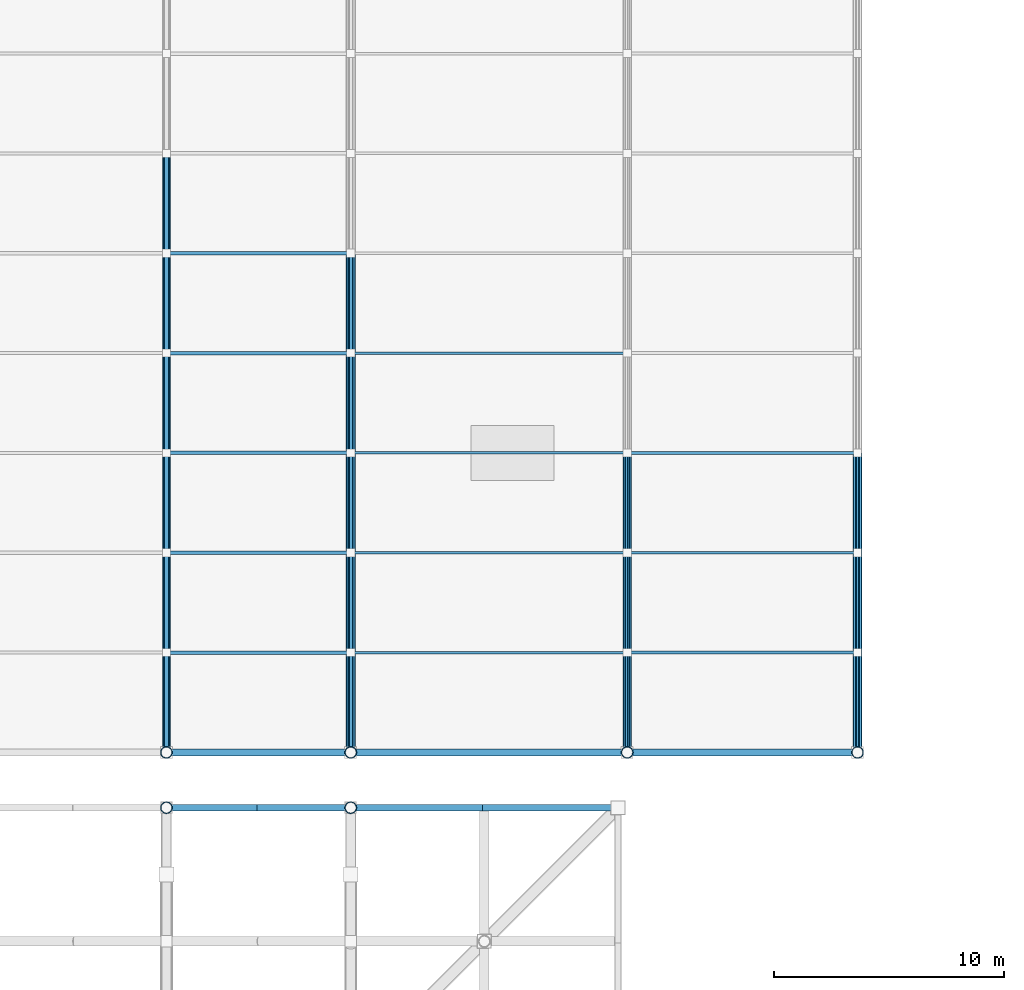
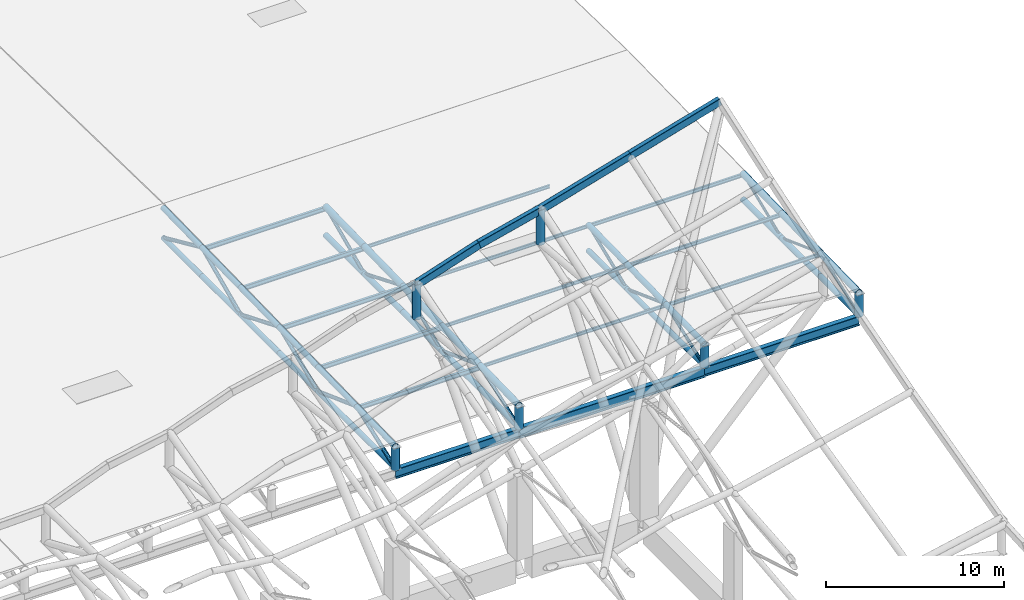
# One storey, part 46 of 75: 69 members, 7 beams.
"""IFC4 building model written with IfcOpenShell, lengths in metres."""

from ifc_helpers import new_model, si_unit, direction, frame, origin, origin_2d, place, context, subcontext, project, spatial, hollow_rectangle, hollow_circle, i_section, extrude, material, material_profile, profile_set, type_object, element, save


model = new_model("IFC4")

# Units and contexts
model_context = context("Model", 3, precision=1e-05, world=origin(), true_north=direction((0.0, 1.0)))
body_context = subcontext(model_context, "Body", "Model", "MODEL_VIEW")
ifc_project = project(units=[si_unit("LENGTHUNIT", "METRE"), si_unit("AREAUNIT", "SQUARE_METRE"), si_unit("VOLUMEUNIT", "CUBIC_METRE"), si_unit("PLANEANGLEUNIT", "RADIAN"), si_unit("MASSUNIT", "GRAM", prefix="KILO")], contexts=[model_context])

# Site, building, storey
site_placement = place(None, origin())
site = spatial("IfcSite", under=ifc_project, at=site_placement, CompositionType="ELEMENT")
building_placement = place(site_placement, origin())
building = spatial("IfcBuilding", under=site, at=building_placement, Name="Khorjan Park Terminus", CompositionType="ELEMENT")
storey_placement = place(building_placement, frame((0.0, 0.0, 16.2)))
storey = spatial("IfcBuildingStorey", under=building, at=storey_placement, Name="L03", CompositionType="ELEMENT", Elevation=16.2)

# Members
ifc_material = material(Name="Steel S355", Category="steel")
ifc_material_profile_1 = material_profile(ifc_material, hollow_circle(Radius=0.0842, WallThickness=0.008, at=origin_2d()), Name="CHS 168.3x8")
ifc_profile_set_1 = profile_set([ifc_material_profile_1], Name="Steel S355")
member_type_1 = type_object("IfcMemberType", Name="MB-BR-168", PredefinedType="BRACE", material=ifc_profile_set_1)
member_1_placement = place(storey_placement, frame((158.0, 102.0, -2.6), z_axis=(0.0, 0.938678487602, 0.344793701963), x_axis=(-1.0, 0.0, 0.0)))
element("IfcMember", 1, at=member_1_placement, inside=storey, type_object=member_type_1, Name="Train shed flat truss web diagonal TB-17 (T19)", PredefinedType="BRACE", context=body_context, shape_type="SweptSolid", body=[
    extrude(hollow_circle(Radius=0.0842, WallThickness=0.008, at=origin_2d()), origin(), (0.0, 0.0, 1.0), 4.6164),
])
member_2_placement = place(storey_placement, frame((158.0, 106.3333, -1.0083), z_axis=(0.0, 0.938681062758, -0.344786691187), x_axis=(-1.0, 0.0, 0.0)))
element("IfcMember", 2, at=member_2_placement, inside=storey, type_object=member_type_1, Name="Train shed flat truss web diagonal TB-17 (T19)", PredefinedType="BRACE", context=body_context, shape_type="SweptSolid", body=[
    extrude(hollow_circle(Radius=0.0842, WallThickness=0.008, at=origin_2d()), origin(), (0.0, 0.0, 1.0), 4.6165),
])
member_3_placement = place(storey_placement, frame((158.0, 110.6667, -2.6), z_axis=(0.0, 0.92537575721, 0.379051062481), x_axis=(-1.0, 0.0, 0.0)))
element("IfcMember", 3, at=member_3_placement, inside=storey, type_object=member_type_1, Name="Train shed flat truss web diagonal TB-17 (T19)", PredefinedType="BRACE", context=body_context, shape_type="SweptSolid", body=[
    extrude(hollow_circle(Radius=0.0842, WallThickness=0.008, at=origin_2d()), origin(), (0.0, 0.0, 1.0), 4.6827),
])
ifc_material_profile_2 = material_profile(ifc_material, hollow_circle(Radius=0.0969, WallThickness=0.01, at=origin_2d()), Name="CHS 193.7x10")
ifc_profile_set_2 = profile_set([ifc_material_profile_2], Name="Steel S355")
member_type_2 = type_object("IfcMemberType", Name="MB-BR-194", PredefinedType="BRACE", material=ifc_profile_set_2)
member_4_placement = place(storey_placement, frame((148.0, 102.0, -2.6), z_axis=(0.0, 0.938678487602, 0.344793701963), x_axis=(-1.0, 0.0, 0.0)))
element("IfcMember", 4, at=member_4_placement, inside=storey, type_object=member_type_2, Name="Train shed flat truss web diagonal TB-19 (T18)", PredefinedType="BRACE", context=body_context, shape_type="SweptSolid", body=[
    extrude(hollow_circle(Radius=0.0969, WallThickness=0.01, at=origin_2d()), origin(), (0.0, 0.0, 1.0), 4.6164),
])
member_5_placement = place(storey_placement, frame((148.0, 106.3333, -1.0083), z_axis=(0.0, 0.938681062758, -0.344786691187), x_axis=(-1.0, 0.0, 0.0)))
element("IfcMember", 5, at=member_5_placement, inside=storey, type_object=member_type_2, Name="Train shed flat truss web diagonal TB-19 (T18)", PredefinedType="BRACE", context=body_context, shape_type="SweptSolid", body=[
    extrude(hollow_circle(Radius=0.0969, WallThickness=0.01, at=origin_2d()), origin(), (0.0, 0.0, 1.0), 4.6165),
])
member_6_placement = place(storey_placement, frame((148.0, 110.6667, -2.6), z_axis=(0.0, 0.92537575721, 0.379051062481), x_axis=(-1.0, 0.0, 0.0)))
element("IfcMember", 6, at=member_6_placement, inside=storey, type_object=member_type_2, Name="Train shed flat truss web diagonal TB-19 (T18)", PredefinedType="BRACE", context=body_context, shape_type="SweptSolid", body=[
    extrude(hollow_circle(Radius=0.0969, WallThickness=0.01, at=origin_2d()), origin(), (0.0, 0.0, 1.0), 4.6827),
])
ifc_material_profile_3 = material_profile(ifc_material, hollow_circle(Radius=0.1095, WallThickness=0.01, at=origin_2d()), Name="CHS 219.1x10")
ifc_profile_set_3 = profile_set([ifc_material_profile_3], Name="Steel S355")
member_type_3 = type_object("IfcMemberType", Name="MB-BR-219", PredefinedType="BRACE", material=ifc_profile_set_3)
member_7_placement = place(storey_placement, frame((136.0, 102.0, -2.6), z_axis=(0.0, 0.938678487602, 0.344793701963), x_axis=(-1.0, 0.0, 0.0)))
element("IfcMember", 7, at=member_7_placement, inside=storey, type_object=member_type_3, Name="Train shed flat truss web diagonal TB-22 (T17)", PredefinedType="BRACE", context=body_context, shape_type="SweptSolid", body=[
    extrude(hollow_circle(Radius=0.1095, WallThickness=0.01, at=origin_2d()), origin(), (0.0, 0.0, 1.0), 4.6164),
])
member_8_placement = place(storey_placement, frame((136.0, 106.3333, -1.0083), z_axis=(0.0, 0.938681062758, -0.344786691187), x_axis=(-1.0, 0.0, 0.0)))
element("IfcMember", 8, at=member_8_placement, inside=storey, type_object=member_type_3, Name="Train shed flat truss web diagonal TB-22 (T17)", PredefinedType="BRACE", context=body_context, shape_type="SweptSolid", body=[
    extrude(hollow_circle(Radius=0.1095, WallThickness=0.01, at=origin_2d()), origin(), (0.0, 0.0, 1.0), 4.6165),
])
for number, where, z_axis, x_axis, name in (
    (9, (136.0, 110.6667, -2.6), (0.0, 0.92537575721, 0.379051062481), (-1.0, 0.0, 0.0), "Train shed flat truss web diagonal TB-22 (T17)"),
    (10, (136.0, 115.0, -0.825), (0.0, 0.92537575721, -0.379051062481), (-1.0, 0.0, 0.0), "Train shed flat truss web diagonal TB-22 (T17)"),
):
    element("IfcMember", number, at=place(storey_placement, frame(where, z_axis=z_axis, x_axis=x_axis)), inside=storey, type_object=member_type_3, Name=name, PredefinedType="BRACE", context=body_context, shape_type="SweptSolid", body=[
        extrude(hollow_circle(Radius=0.1095, WallThickness=0.01, at=origin_2d()), origin(), (0.0, 0.0, 1.0), 4.6827),
    ])
member_9_placement = place(storey_placement, frame((136.0, 119.3333, -2.6), z_axis=(0.0, 0.911269553162, 0.411810395061), x_axis=(-1.0, 0.0, 0.0)))
element("IfcMember", 11, at=member_9_placement, inside=storey, type_object=member_type_3, Name="Train shed flat truss web diagonal TB-22 (T17)", PredefinedType="BRACE", context=body_context, shape_type="SweptSolid", body=[
    extrude(hollow_circle(Radius=0.1095, WallThickness=0.01, at=origin_2d()), origin(), (0.0, 0.0, 1.0), 4.7553),
])
ifc_material_profile_4 = material_profile(ifc_material, hollow_circle(Radius=0.1222, WallThickness=0.0125, at=origin_2d()), Name="CHS 244.5x12.5")
ifc_profile_set_4 = profile_set([ifc_material_profile_4], Name="Steel S355")
member_type_4 = type_object("IfcMemberType", Name="MB-BR-245", PredefinedType="BRACE", material=ifc_profile_set_4)
member_10_placement = place(storey_placement, frame((128.0, 102.0, -2.6), z_axis=(0.0, 0.938678487602, 0.344793701963), x_axis=(-1.0, 0.0, 0.0)))
element("IfcMember", 12, at=member_10_placement, inside=storey, type_object=member_type_4, Name="Train shed flat truss web diagonal TB-24 (T16)", PredefinedType="BRACE", context=body_context, shape_type="SweptSolid", body=[
    extrude(hollow_circle(Radius=0.1222, WallThickness=0.0125, at=origin_2d()), origin(), (0.0, 0.0, 1.0), 4.6164),
])
member_11_placement = place(storey_placement, frame((128.0, 106.3333, -1.0083), z_axis=(0.0, 0.938681062758, -0.344786691187), x_axis=(-1.0, 0.0, 0.0)))
element("IfcMember", 13, at=member_11_placement, inside=storey, type_object=member_type_4, Name="Train shed flat truss web diagonal TB-24 (T16)", PredefinedType="BRACE", context=body_context, shape_type="SweptSolid", body=[
    extrude(hollow_circle(Radius=0.1222, WallThickness=0.0125, at=origin_2d()), origin(), (0.0, 0.0, 1.0), 4.6165),
])
for number, where, z_axis, x_axis, name in (
    (14, (128.0, 110.6667, -2.6), (0.0, 0.92537575721, 0.379051062481), (-1.0, 0.0, 0.0), "Train shed flat truss web diagonal TB-24 (T16)"),
    (15, (128.0, 115.0, -0.825), (0.0, 0.92537575721, -0.379051062481), (-1.0, 0.0, 0.0), "Train shed flat truss web diagonal TB-24 (T16)"),
):
    element("IfcMember", number, at=place(storey_placement, frame(where, z_axis=z_axis, x_axis=x_axis)), inside=storey, type_object=member_type_4, Name=name, PredefinedType="BRACE", context=body_context, shape_type="SweptSolid", body=[
        extrude(hollow_circle(Radius=0.1222, WallThickness=0.0125, at=origin_2d()), origin(), (0.0, 0.0, 1.0), 4.6827),
    ])
for number, where, z_axis, x_axis, name in (
    (16, (128.0, 119.3333, -2.6), (0.0, 0.911269553162, 0.411810395061), (-1.0, 0.0, 0.0), "Train shed flat truss web diagonal TB-24 (T16)"),
    (17, (128.0, 123.6667, -0.6417), (0.0, 0.911265986802, -0.411818286745), (-1.0, 0.0, 0.0), "Train shed flat truss web diagonal TB-24 (T16)"),
):
    element("IfcMember", number, at=place(storey_placement, frame(where, z_axis=z_axis, x_axis=x_axis)), inside=storey, type_object=member_type_4, Name=name, PredefinedType="BRACE", context=body_context, shape_type="SweptSolid", body=[
        extrude(hollow_circle(Radius=0.1222, WallThickness=0.0125, at=origin_2d()), origin(), (0.0, 0.0, 1.0), 4.7553),
    ])
ifc_material_profile_5 = material_profile(ifc_material, hollow_circle(Radius=0.162, WallThickness=0.0125, at=origin_2d()), Name="CHS 323.9x12.5")
ifc_profile_set_5 = profile_set([ifc_material_profile_5], Name="Steel S355")
member_type_5 = type_object("IfcMemberType", Name="MB-CH-324", PredefinedType="CHORD", material=ifc_profile_set_5)
member_12_placement = place(storey_placement, frame((128.0, 102.0, -2.6), z_axis=(0.0, 1.0, 0.0), x_axis=(-1.0, 0.0, 0.0)))
element("IfcMember", 18, at=member_12_placement, inside=storey, type_object=member_type_5, Name="Train shed flat truss bottom chord TC-32 (T16)", PredefinedType="CHORD", context=body_context, shape_type="SweptSolid", body=[
    extrude(hollow_circle(Radius=0.162, WallThickness=0.0125, at=origin_2d()), origin(), (0.0, 0.0, 1.0), 4.3333),
])
member_13_placement = place(storey_placement, frame((128.0, 106.3333, -2.6), z_axis=(0.0, 1.0, 0.0), x_axis=(-1.0, 0.0, 0.0)))
element("IfcMember", 19, at=member_13_placement, inside=storey, type_object=member_type_5, Name="Train shed flat truss bottom chord TC-32 (T16)", PredefinedType="CHORD", context=body_context, shape_type="SweptSolid", body=[
    extrude(hollow_circle(Radius=0.162, WallThickness=0.0125, at=origin_2d()), origin(), (0.0, 0.0, 1.0), 4.3334),
])
for number, where, z_axis, x_axis, name in (
    (20, (128.0, 110.6667, -2.6), (0.0, 1.0, 0.0), (-1.0, 0.0, 0.0), "Train shed flat truss bottom chord TC-32 (T16)"),
    (21, (128.0, 115.0, -2.6), (0.0, 1.0, 0.0), (-1.0, 0.0, 0.0), "Train shed flat truss bottom chord TC-32 (T16)"),
):
    element("IfcMember", number, at=place(storey_placement, frame(where, z_axis=z_axis, x_axis=x_axis)), inside=storey, type_object=member_type_5, Name=name, PredefinedType="CHORD", context=body_context, shape_type="SweptSolid", body=[
        extrude(hollow_circle(Radius=0.162, WallThickness=0.0125, at=origin_2d()), origin(), (0.0, 0.0, 1.0), 4.3333),
    ])
member_14_placement = place(storey_placement, frame((128.0, 119.3333, -2.6), z_axis=(0.0, 1.0, 0.0), x_axis=(-1.0, 0.0, 0.0)))
element("IfcMember", 22, at=member_14_placement, inside=storey, type_object=member_type_5, Name="Train shed flat truss bottom chord TC-32 (T16)", PredefinedType="CHORD", context=body_context, shape_type="SweptSolid", body=[
    extrude(hollow_circle(Radius=0.162, WallThickness=0.0125, at=origin_2d()), origin(), (0.0, 0.0, 1.0), 4.3334),
])
for number, where, z_axis, x_axis, name in (
    (23, (128.0, 123.6667, -2.6), (0.0, 1.0, 0.0), (-1.0, 0.0, 0.0), "Train shed flat truss bottom chord TC-32 (T16)"),
    (24, (148.0, 102.0, -2.6), (0.0, 1.0, 0.0), (-1.0, 0.0, 0.0), "Train shed flat truss bottom chord TC-32 (T18)"),
):
    element("IfcMember", number, at=place(storey_placement, frame(where, z_axis=z_axis, x_axis=x_axis)), inside=storey, type_object=member_type_5, Name=name, PredefinedType="CHORD", context=body_context, shape_type="SweptSolid", body=[
        extrude(hollow_circle(Radius=0.162, WallThickness=0.0125, at=origin_2d()), origin(), (0.0, 0.0, 1.0), 4.3333),
    ])
member_15_placement = place(storey_placement, frame((148.0, 106.3333, -2.6), z_axis=(0.0, 1.0, 0.0), x_axis=(-1.0, 0.0, 0.0)))
element("IfcMember", 25, at=member_15_placement, inside=storey, type_object=member_type_5, Name="Train shed flat truss bottom chord TC-32 (T18)", PredefinedType="CHORD", context=body_context, shape_type="SweptSolid", body=[
    extrude(hollow_circle(Radius=0.162, WallThickness=0.0125, at=origin_2d()), origin(), (0.0, 0.0, 1.0), 4.3334),
])
member_16_placement = place(storey_placement, frame((148.0, 110.6667, -2.6), z_axis=(0.0, 1.0, 0.0), x_axis=(-1.0, 0.0, 0.0)))
element("IfcMember", 26, at=member_16_placement, inside=storey, type_object=member_type_5, Name="Train shed flat truss bottom chord TC-32 (T18)", PredefinedType="CHORD", context=body_context, shape_type="SweptSolid", body=[
    extrude(hollow_circle(Radius=0.162, WallThickness=0.0125, at=origin_2d()), origin(), (0.0, 0.0, 1.0), 4.3333),
])
ifc_material_profile_6 = material_profile(ifc_material, hollow_circle(Radius=0.1778, WallThickness=0.016, at=origin_2d()), Name="CHS 355.6x16")
ifc_profile_set_6 = profile_set([ifc_material_profile_6], Name="Steel S355")
member_type_6 = type_object("IfcMemberType", Name="MB-CH-356", PredefinedType="CHORD", material=ifc_profile_set_6)
member_17_placement = place(storey_placement, frame((128.0, 102.0, -1.1), z_axis=(0.0, 0.999776166375, 0.021156964544), x_axis=(-1.0, 0.0, 0.0)))
element("IfcMember", 27, at=member_17_placement, inside=storey, type_object=member_type_6, Name="Train shed flat truss top chord TC-36 (T16)", PredefinedType="CHORD", context=body_context, shape_type="SweptSolid", body=[
    extrude(hollow_circle(Radius=0.1778, WallThickness=0.016, at=origin_2d()), origin(), (0.0, 0.0, 1.0), 4.3343),
])
member_18_placement = place(storey_placement, frame((128.0, 106.3333, -1.0083), z_axis=(0.0, 0.999776664437, 0.021133415439), x_axis=(-1.0, 0.0, 0.0)))
element("IfcMember", 28, at=member_18_placement, inside=storey, type_object=member_type_6, Name="Train shed flat truss top chord TC-36 (T16)", PredefinedType="CHORD", context=body_context, shape_type="SweptSolid", body=[
    extrude(hollow_circle(Radius=0.1778, WallThickness=0.016, at=origin_2d()), origin(), (0.0, 0.0, 1.0), 4.3344),
])
for number, where, z_axis, x_axis, name in (
    (29, (128.0, 110.6667, -0.9167), (0.0, 0.999776166375, 0.021156964544), (-1.0, 0.0, 0.0), "Train shed flat truss top chord TC-36 (T16)"),
    (30, (128.0, 115.0, -0.825), (0.0, 0.999776166375, 0.021156964544), (-1.0, 0.0, 0.0), "Train shed flat truss top chord TC-36 (T16)"),
):
    element("IfcMember", number, at=place(storey_placement, frame(where, z_axis=z_axis, x_axis=x_axis)), inside=storey, type_object=member_type_6, Name=name, PredefinedType="CHORD", context=body_context, shape_type="SweptSolid", body=[
        extrude(hollow_circle(Radius=0.1778, WallThickness=0.016, at=origin_2d()), origin(), (0.0, 0.0, 1.0), 4.3343),
    ])
member_19_placement = place(storey_placement, frame((128.0, 119.3333, -0.7333), z_axis=(0.0, 0.999776664437, 0.021133415439), x_axis=(-1.0, 0.0, 0.0)))
element("IfcMember", 31, at=member_19_placement, inside=storey, type_object=member_type_6, Name="Train shed flat truss top chord TC-36 (T16)", PredefinedType="CHORD", context=body_context, shape_type="SweptSolid", body=[
    extrude(hollow_circle(Radius=0.1778, WallThickness=0.016, at=origin_2d()), origin(), (0.0, 0.0, 1.0), 4.3344),
])
member_20_placement = place(storey_placement, frame((128.0, 123.6667, -0.6417), z_axis=(0.0, 0.999776166375, 0.021156964544), x_axis=(-1.0, 0.0, 0.0)))
element("IfcMember", 32, at=member_20_placement, inside=storey, type_object=member_type_6, Name="Train shed flat truss top chord TC-36 (T16)", PredefinedType="CHORD", context=body_context, shape_type="SweptSolid", body=[
    extrude(hollow_circle(Radius=0.1778, WallThickness=0.016, at=origin_2d()), origin(), (0.0, 0.0, 1.0), 4.3343),
])
member_21_placement = place(storey_placement, frame((136.0, 102.0, -2.6), z_axis=(0.0, 1.0, 0.0), x_axis=(-1.0, 0.0, 0.0)))
element("IfcMember", 33, at=member_21_placement, inside=storey, type_object=member_type_6, Name="Train shed flat truss bottom chord TC-36 (T17)", PredefinedType="CHORD", context=body_context, shape_type="SweptSolid", body=[
    extrude(hollow_circle(Radius=0.1778, WallThickness=0.016, at=origin_2d()), origin(), (0.0, 0.0, 1.0), 4.3333),
])
member_22_placement = place(storey_placement, frame((136.0, 106.3333, -2.6), z_axis=(0.0, 1.0, 0.0), x_axis=(-1.0, 0.0, 0.0)))
element("IfcMember", 34, at=member_22_placement, inside=storey, type_object=member_type_6, Name="Train shed flat truss bottom chord TC-36 (T17)", PredefinedType="CHORD", context=body_context, shape_type="SweptSolid", body=[
    extrude(hollow_circle(Radius=0.1778, WallThickness=0.016, at=origin_2d()), origin(), (0.0, 0.0, 1.0), 4.3334),
])
for number, where, z_axis, x_axis, name in (
    (35, (136.0, 110.6667, -2.6), (0.0, 1.0, 0.0), (-1.0, 0.0, 0.0), "Train shed flat truss bottom chord TC-36 (T17)"),
    (36, (136.0, 115.0, -2.6), (0.0, 1.0, 0.0), (-1.0, 0.0, 0.0), "Train shed flat truss bottom chord TC-36 (T17)"),
):
    element("IfcMember", number, at=place(storey_placement, frame(where, z_axis=z_axis, x_axis=x_axis)), inside=storey, type_object=member_type_6, Name=name, PredefinedType="CHORD", context=body_context, shape_type="SweptSolid", body=[
        extrude(hollow_circle(Radius=0.1778, WallThickness=0.016, at=origin_2d()), origin(), (0.0, 0.0, 1.0), 4.3333),
    ])
member_23_placement = place(storey_placement, frame((136.0, 119.3333, -2.6), z_axis=(0.0, 1.0, 0.0), x_axis=(-1.0, 0.0, 0.0)))
element("IfcMember", 37, at=member_23_placement, inside=storey, type_object=member_type_6, Name="Train shed flat truss bottom chord TC-36 (T17)", PredefinedType="CHORD", context=body_context, shape_type="SweptSolid", body=[
    extrude(hollow_circle(Radius=0.1778, WallThickness=0.016, at=origin_2d()), origin(), (0.0, 0.0, 1.0), 4.3334),
])
member_24_placement = place(storey_placement, frame((148.0, 102.0, -1.1), z_axis=(0.0, 0.999776166375, 0.021156964544), x_axis=(-1.0, 0.0, 0.0)))
element("IfcMember", 38, at=member_24_placement, inside=storey, type_object=member_type_6, Name="Train shed flat truss top chord TC-36 (T18)", PredefinedType="CHORD", context=body_context, shape_type="SweptSolid", body=[
    extrude(hollow_circle(Radius=0.1778, WallThickness=0.016, at=origin_2d()), origin(), (0.0, 0.0, 1.0), 4.3343),
])
member_25_placement = place(storey_placement, frame((148.0, 106.3333, -1.0083), z_axis=(0.0, 0.999776664437, 0.021133415439), x_axis=(-1.0, 0.0, 0.0)))
element("IfcMember", 39, at=member_25_placement, inside=storey, type_object=member_type_6, Name="Train shed flat truss top chord TC-36 (T18)", PredefinedType="CHORD", context=body_context, shape_type="SweptSolid", body=[
    extrude(hollow_circle(Radius=0.1778, WallThickness=0.016, at=origin_2d()), origin(), (0.0, 0.0, 1.0), 4.3344),
])
member_26_placement = place(storey_placement, frame((148.0, 110.6667, -0.9167), z_axis=(0.0, 0.999776166375, 0.021156964544), x_axis=(-1.0, 0.0, 0.0)))
element("IfcMember", 40, at=member_26_placement, inside=storey, type_object=member_type_6, Name="Train shed flat truss top chord TC-36 (T18)", PredefinedType="CHORD", context=body_context, shape_type="SweptSolid", body=[
    extrude(hollow_circle(Radius=0.1778, WallThickness=0.016, at=origin_2d()), origin(), (0.0, 0.0, 1.0), 4.3343),
])
member_27_placement = place(storey_placement, frame((158.0, 102.0, -2.6), z_axis=(0.0, 1.0, 0.0), x_axis=(-1.0, 0.0, 0.0)))
element("IfcMember", 41, at=member_27_placement, inside=storey, type_object=member_type_6, Name="Train shed flat truss bottom chord TC-36 (T19)", PredefinedType="CHORD", context=body_context, shape_type="SweptSolid", body=[
    extrude(hollow_circle(Radius=0.1778, WallThickness=0.016, at=origin_2d()), origin(), (0.0, 0.0, 1.0), 4.3333),
])
member_28_placement = place(storey_placement, frame((158.0, 106.3333, -2.6), z_axis=(0.0, 1.0, 0.0), x_axis=(-1.0, 0.0, 0.0)))
element("IfcMember", 42, at=member_28_placement, inside=storey, type_object=member_type_6, Name="Train shed flat truss bottom chord TC-36 (T19)", PredefinedType="CHORD", context=body_context, shape_type="SweptSolid", body=[
    extrude(hollow_circle(Radius=0.1778, WallThickness=0.016, at=origin_2d()), origin(), (0.0, 0.0, 1.0), 4.3334),
])
member_29_placement = place(storey_placement, frame((158.0, 110.6667, -2.6), z_axis=(0.0, 1.0, 0.0), x_axis=(-1.0, 0.0, 0.0)))
element("IfcMember", 43, at=member_29_placement, inside=storey, type_object=member_type_6, Name="Train shed flat truss bottom chord TC-36 (T19)", PredefinedType="CHORD", context=body_context, shape_type="SweptSolid", body=[
    extrude(hollow_circle(Radius=0.1778, WallThickness=0.016, at=origin_2d()), origin(), (0.0, 0.0, 1.0), 4.3333),
])
ifc_material_profile_7 = material_profile(ifc_material, hollow_circle(Radius=0.2032, WallThickness=0.016, at=origin_2d()), Name="CHS 406.4x16")
ifc_profile_set_7 = profile_set([ifc_material_profile_7], Name="Steel S355")
member_type_7 = type_object("IfcMemberType", Name="MB-CH-406", PredefinedType="CHORD", material=ifc_profile_set_7)
member_30_placement = place(storey_placement, frame((136.0, 102.0, -1.1), z_axis=(0.0, 0.999776166375, 0.021156964544), x_axis=(-1.0, 0.0, 0.0)))
element("IfcMember", 44, at=member_30_placement, inside=storey, type_object=member_type_7, Name="Train shed flat truss top chord TC-41 (T17)", PredefinedType="CHORD", context=body_context, shape_type="SweptSolid", body=[
    extrude(hollow_circle(Radius=0.2032, WallThickness=0.016, at=origin_2d()), origin(), (0.0, 0.0, 1.0), 4.3343),
])
member_31_placement = place(storey_placement, frame((136.0, 106.3333, -1.0083), z_axis=(0.0, 0.999776664437, 0.021133415439), x_axis=(-1.0, 0.0, 0.0)))
element("IfcMember", 45, at=member_31_placement, inside=storey, type_object=member_type_7, Name="Train shed flat truss top chord TC-41 (T17)", PredefinedType="CHORD", context=body_context, shape_type="SweptSolid", body=[
    extrude(hollow_circle(Radius=0.2032, WallThickness=0.016, at=origin_2d()), origin(), (0.0, 0.0, 1.0), 4.3344),
])
for number, where, z_axis, x_axis, name in (
    (46, (136.0, 110.6667, -0.9167), (0.0, 0.999776166375, 0.021156964544), (-1.0, 0.0, 0.0), "Train shed flat truss top chord TC-41 (T17)"),
    (47, (136.0, 115.0, -0.825), (0.0, 0.999776166375, 0.021156964544), (-1.0, 0.0, 0.0), "Train shed flat truss top chord TC-41 (T17)"),
):
    element("IfcMember", number, at=place(storey_placement, frame(where, z_axis=z_axis, x_axis=x_axis)), inside=storey, type_object=member_type_7, Name=name, PredefinedType="CHORD", context=body_context, shape_type="SweptSolid", body=[
        extrude(hollow_circle(Radius=0.2032, WallThickness=0.016, at=origin_2d()), origin(), (0.0, 0.0, 1.0), 4.3343),
    ])
member_32_placement = place(storey_placement, frame((136.0, 119.3333, -0.7333), z_axis=(0.0, 0.999776664437, 0.021133415439), x_axis=(-1.0, 0.0, 0.0)))
element("IfcMember", 48, at=member_32_placement, inside=storey, type_object=member_type_7, Name="Train shed flat truss top chord TC-41 (T17)", PredefinedType="CHORD", context=body_context, shape_type="SweptSolid", body=[
    extrude(hollow_circle(Radius=0.2032, WallThickness=0.016, at=origin_2d()), origin(), (0.0, 0.0, 1.0), 4.3344),
])
member_33_placement = place(storey_placement, frame((158.0, 102.0, -1.1), z_axis=(0.0, 0.999776166375, 0.021156964544), x_axis=(-1.0, 0.0, 0.0)))
element("IfcMember", 49, at=member_33_placement, inside=storey, type_object=member_type_7, Name="Train shed flat truss top chord TC-41 (T19)", PredefinedType="CHORD", context=body_context, shape_type="SweptSolid", body=[
    extrude(hollow_circle(Radius=0.2032, WallThickness=0.016, at=origin_2d()), origin(), (0.0, 0.0, 1.0), 4.3343),
])
member_34_placement = place(storey_placement, frame((158.0, 106.3333, -1.0083), z_axis=(0.0, 0.999776664437, 0.021133415439), x_axis=(-1.0, 0.0, 0.0)))
element("IfcMember", 50, at=member_34_placement, inside=storey, type_object=member_type_7, Name="Train shed flat truss top chord TC-41 (T19)", PredefinedType="CHORD", context=body_context, shape_type="SweptSolid", body=[
    extrude(hollow_circle(Radius=0.2032, WallThickness=0.016, at=origin_2d()), origin(), (0.0, 0.0, 1.0), 4.3344),
])
member_35_placement = place(storey_placement, frame((158.0, 110.6667, -0.9167), z_axis=(0.0, 0.999776166375, 0.021156964544), x_axis=(-1.0, 0.0, 0.0)))
element("IfcMember", 51, at=member_35_placement, inside=storey, type_object=member_type_7, Name="Train shed flat truss top chord TC-41 (T19)", PredefinedType="CHORD", context=body_context, shape_type="SweptSolid", body=[
    extrude(hollow_circle(Radius=0.2032, WallThickness=0.016, at=origin_2d()), origin(), (0.0, 0.0, 1.0), 4.3343),
])
ifc_material_profile_8 = material_profile(ifc_material, i_section(OverallWidth=0.11, OverallDepth=0.22, WebThickness=0.0059, FlangeThickness=0.0092, FilletRadius=0.012, at=origin_2d()), Name="IPE 220")
ifc_profile_set_8 = profile_set([ifc_material_profile_8], Name="Steel S355")
member_type_8 = type_object("IfcMemberType", Name="MB-PR-IPE220", PredefinedType="PURLIN", material=ifc_profile_set_8)
for number, where, z_axis, x_axis, name in (
    (52, (136.0, 106.3333, -1.0983), (1.0, 0.0, 0.0), (0.0, 1.0, 0.0), "Train shed secondary roof purlin PR-22 (Bay 17)"),
    (53, (136.0, 110.6667, -1.0067), (1.0, 0.0, 0.0), (0.0, 1.0, 0.0), "Train shed secondary roof purlin PR-22 (Bay 17)"),
    (54, (136.0, 115.0, -0.915), (1.0, 0.0, 0.0), (0.0, 1.0, 0.0), "Train shed secondary roof purlin PR-22 (Bay 17)"),
    (55, (136.0, 119.3333, -0.8233), (1.0, 0.0, 0.0), (0.0, 1.0, 0.0), "Train shed secondary roof purlin PR-22 (Bay 17)"),
):
    element("IfcMember", number, at=place(storey_placement, frame(where, z_axis=z_axis, x_axis=x_axis)), inside=storey, type_object=member_type_8, Name=name, PredefinedType="PURLIN", context=body_context, shape_type="SweptSolid", body=[
        extrude(i_section(OverallWidth=0.11, OverallDepth=0.22, WebThickness=0.0059, FlangeThickness=0.0092, FilletRadius=0.012, at=origin_2d()), origin(), (0.0, 0.0, 1.0), 12.0),
    ])
ifc_material_profile_9 = material_profile(ifc_material, i_section(OverallWidth=0.12, OverallDepth=0.24, WebThickness=0.0062, FlangeThickness=0.0098, FilletRadius=0.015, at=origin_2d()), Name="IPE 240")
ifc_profile_set_9 = profile_set([ifc_material_profile_9], Name="Steel S355")
member_type_9 = type_object("IfcMemberType", Name="MB-PR-IPE240", PredefinedType="PURLIN", material=ifc_profile_set_9)
for number, where, z_axis, x_axis, name in (
    (56, (148.0, 106.3333, -1.1083), (1.0, 0.0, 0.0), (0.0, 1.0, 0.0), "Train shed secondary roof purlin PR-24 (Bay 18)"),
    (57, (148.0, 110.6667, -1.0167), (1.0, 0.0, 0.0), (0.0, 1.0, 0.0), "Train shed secondary roof purlin PR-24 (Bay 18)"),
    (58, (148.0, 115.0, -0.925), (1.0, 0.0, 0.0), (0.0, 1.0, 0.0), "Train shed secondary roof purlin PR-24 (Bay 18)"),
):
    element("IfcMember", number, at=place(storey_placement, frame(where, z_axis=z_axis, x_axis=x_axis)), inside=storey, type_object=member_type_9, Name=name, PredefinedType="PURLIN", context=body_context, shape_type="SweptSolid", body=[
        extrude(i_section(OverallWidth=0.12, OverallDepth=0.24, WebThickness=0.0062, FlangeThickness=0.0098, FilletRadius=0.015, at=origin_2d()), origin(), (0.0, 0.0, 1.0), 10.0),
    ])
ifc_material_profile_10 = material_profile(ifc_material, i_section(OverallWidth=0.15, OverallDepth=0.3, WebThickness=0.0071, FlangeThickness=0.0107, FilletRadius=0.015, at=origin_2d()), Name="IPE 300")
ifc_profile_set_10 = profile_set([ifc_material_profile_10], Name="Steel S355")
member_type_10 = type_object("IfcMemberType", Name="MB-PR-IPE300", PredefinedType="PURLIN", material=ifc_profile_set_10)
for number, where, z_axis, x_axis, name in (
    (59, (128.0, 106.3333, -1.1383), (1.0, 0.0, 0.0), (0.0, 1.0, 0.0), "Train shed secondary roof purlin PR-30 (Bay 16)"),
    (60, (128.0, 110.6667, -1.0467), (1.0, 0.0, 0.0), (0.0, 1.0, 0.0), "Train shed secondary roof purlin PR-30 (Bay 16)"),
    (61, (128.0, 115.0, -0.955), (1.0, 0.0, 0.0), (0.0, 1.0, 0.0), "Train shed secondary roof purlin PR-30 (Bay 16)"),
    (62, (128.0, 119.3333, -0.8633), (1.0, 0.0, 0.0), (0.0, 1.0, 0.0), "Train shed secondary roof purlin PR-30 (Bay 16)"),
    (63, (128.0, 123.6667, -0.7717), (1.0, 0.0, 0.0), (0.0, 1.0, 0.0), "Train shed secondary roof purlin PR-30 (Bay 16)"),
):
    element("IfcMember", number, at=place(storey_placement, frame(where, z_axis=z_axis, x_axis=x_axis)), inside=storey, type_object=member_type_10, Name=name, PredefinedType="PURLIN", context=body_context, shape_type="SweptSolid", body=[
        extrude(i_section(OverallWidth=0.15, OverallDepth=0.3, WebThickness=0.0071, FlangeThickness=0.0107, FilletRadius=0.015, at=origin_2d()), origin(), (0.0, 0.0, 1.0), 8.0),
    ])
ifc_material_profile_11 = material_profile(ifc_material, hollow_circle(Radius=0.254, WallThickness=0.02, at=origin_2d()), Name="CHS 508x20")
ifc_profile_set_11 = profile_set([ifc_material_profile_11], Name="Steel S355")
member_type_11 = type_object("IfcMemberType", Name="MB-STE-508", PredefinedType="STRUT", material=ifc_profile_set_11)
for number, where, z_axis, x_axis, name in (
    (64, (128.0, 102.0, -2.62), (0.0, 0.0, 1.0), (1.0, 0.0, 0.0), "Train shed flat truss end post STE-51 (T16-S)"),
    (65, (136.0, 102.0, -2.62), (0.0, 0.0, 1.0), (1.0, 0.0, 0.0), "Train shed flat truss end post STE-51 (T17-S)"),
    (66, (148.0, 102.0, -2.62), (0.0, 0.0, 1.0), (1.0, 0.0, 0.0), "Train shed flat truss end post STE-51 (T18-S)"),
    (67, (158.0, 102.0, -2.62), (0.0, 0.0, 1.0), (1.0, 0.0, 0.0), "Train shed flat truss end post STE-51 (T19-S)"),
):
    element("IfcMember", number, at=place(storey_placement, frame(where, z_axis=z_axis, x_axis=x_axis)), inside=storey, type_object=member_type_11, Name=name, PredefinedType="STRUT", context=body_context, shape_type="SweptSolid", body=[
        extrude(hollow_circle(Radius=0.254, WallThickness=0.02, at=origin_2d()), origin(), (0.0, 0.0, 1.0), 1.52),
    ])
for number, where, z_axis, x_axis, name in (
    (68, (128.0, 99.6, 9.1463), (0.0, 0.0, 1.0), (1.0, 0.0, 0.0), "Upper shell overhang tip post STE-51 (11N)"),
    (69, (136.0, 99.6, 11.4621), (0.0, 0.0, 1.0), (1.0, 0.0, 0.0), "Upper shell overhang tip post STE-51 (12N)"),
):
    element("IfcMember", number, at=place(storey_placement, frame(where, z_axis=z_axis, x_axis=x_axis)), inside=storey, type_object=member_type_11, Name=name, PredefinedType="STRUT", context=body_context, shape_type="SweptSolid", body=[
        extrude(hollow_circle(Radius=0.254, WallThickness=0.02, at=origin_2d()), origin(), (0.0, 0.0, 1.0), 2.4),
    ])

# Beams
ifc_material_profile_12 = material_profile(ifc_material, i_section(OverallWidth=0.3, OverallDepth=0.65, WebThickness=0.016, FlangeThickness=0.031, FilletRadius=0.027, at=origin_2d()), Name="HEB 650")
ifc_profile_set_12 = profile_set([ifc_material_profile_12], Name="Steel S355")
beam_type_1 = type_object("IfcBeamType", Name="SP-HEB650E", PredefinedType="SPANDREL", material=ifc_profile_set_12)
beam_1_placement = place(storey_placement, frame((128.0, 102.0, -2.925), z_axis=(1.0, 0.0, 0.0), x_axis=(0.0, 1.0, 0.0)))
element("IfcBeam", 70, at=beam_1_placement, inside=storey, type_object=beam_type_1, Name="Train shed horizontal eave fascia girder SP-E65 (S16)", PredefinedType="SPANDREL", context=body_context, shape_type="SweptSolid", body=[
    extrude(i_section(OverallWidth=0.3, OverallDepth=0.65, WebThickness=0.016, FlangeThickness=0.031, FilletRadius=0.027, at=origin_2d()), origin(), (0.0, 0.0, 1.0), 8.0),
])
beam_2_placement = place(storey_placement, frame((148.0, 102.0, -2.925), z_axis=(1.0, 0.0, 0.0), x_axis=(0.0, 1.0, 0.0)))
element("IfcBeam", 71, at=beam_2_placement, inside=storey, type_object=beam_type_1, Name="Train shed horizontal eave fascia girder SP-E65 (S18)", PredefinedType="SPANDREL", context=body_context, shape_type="SweptSolid", body=[
    extrude(i_section(OverallWidth=0.3, OverallDepth=0.65, WebThickness=0.016, FlangeThickness=0.031, FilletRadius=0.027, at=origin_2d()), origin(), (0.0, 0.0, 1.0), 10.0),
])
ifc_material_profile_13 = material_profile(ifc_material, i_section(OverallWidth=0.3, OverallDepth=0.7, WebThickness=0.017, FlangeThickness=0.032, FilletRadius=0.027, at=origin_2d()), Name="HEB 700")
ifc_profile_set_13 = profile_set([ifc_material_profile_13], Name="Steel S355")
beam_type_2 = type_object("IfcBeamType", Name="SP-HEB700E", PredefinedType="SPANDREL", material=ifc_profile_set_13)
beam_3_placement = place(storey_placement, frame((136.0, 102.0, -2.95), z_axis=(1.0, 0.0, 0.0), x_axis=(0.0, 1.0, 0.0)))
element("IfcBeam", 72, at=beam_3_placement, inside=storey, type_object=beam_type_2, Name="Train shed horizontal eave fascia girder SP-E70 (S17)", PredefinedType="SPANDREL", context=body_context, shape_type="SweptSolid", body=[
    extrude(i_section(OverallWidth=0.3, OverallDepth=0.7, WebThickness=0.017, FlangeThickness=0.032, FilletRadius=0.027, at=origin_2d()), origin(), (0.0, 0.0, 1.0), 12.0),
])
ifc_material_profile_14 = material_profile(ifc_material, hollow_rectangle(XDim=0.3, YDim=0.5, WallThickness=0.016, InnerFilletRadius=0.016, OuterFilletRadius=0.032, at=origin_2d()), Name="RHS 500x300x16")
ifc_profile_set_14 = profile_set([ifc_material_profile_14], Name="Steel S355")
beam_type_3 = type_object("IfcBeamType", Name="SP-RHS500", PredefinedType="SPANDREL", material=ifc_profile_set_14)
beam_4_placement = place(storey_placement, frame((128.0, 99.6, 11.4463), z_axis=(0.949550910694, 0.0, 0.313612927029), x_axis=(0.0, 1.0, 0.0)))
element("IfcBeam", 73, at=beam_4_placement, inside=storey, type_object=beam_type_3, Name="Upper folded shell upturned perimeter edge beam SP-R50 (49)", PredefinedType="SPANDREL", context=body_context, shape_type="SweptSolid", body=[
    extrude(hollow_rectangle(XDim=0.3, YDim=0.5, WallThickness=0.016, InnerFilletRadius=0.016, OuterFilletRadius=0.032, at=origin_2d()), origin(), (0.0, 0.0, 1.0), 4.2125),
])
beam_5_placement = place(storey_placement, frame((132.0, 99.6, 12.7674), z_axis=(0.970444295595, 0.0, 0.241325235207), x_axis=(0.0, 1.0, 0.0)))
element("IfcBeam", 74, at=beam_5_placement, inside=storey, type_object=beam_type_3, Name="Upper folded shell upturned perimeter edge beam SP-R50 (50)", PredefinedType="SPANDREL", context=body_context, shape_type="SweptSolid", body=[
    extrude(hollow_rectangle(XDim=0.3, YDim=0.5, WallThickness=0.016, InnerFilletRadius=0.016, OuterFilletRadius=0.032, at=origin_2d()), origin(), (0.0, 0.0, 1.0), 4.1218),
])
for number, where, z_axis, x_axis, name in (
    (75, (136.0, 99.6, 13.7621), (0.960561936259, 0.0, 0.278066119134), (0.0, 1.0, 0.0), "Upper folded shell upturned perimeter edge beam SP-R50 (51)"),
    (76, (141.8, 99.6, 15.4411), (0.960566359707, 0.0, 0.278050838157), (0.0, 1.0, 0.0), "Upper folded shell upturned perimeter edge beam SP-R50 (52)"),
):
    element("IfcBeam", number, at=place(storey_placement, frame(where, z_axis=z_axis, x_axis=x_axis)), inside=storey, type_object=beam_type_3, Name=name, PredefinedType="SPANDREL", context=body_context, shape_type="SweptSolid", body=[
        extrude(hollow_rectangle(XDim=0.3, YDim=0.5, WallThickness=0.016, InnerFilletRadius=0.016, OuterFilletRadius=0.032, at=origin_2d()), origin(), (0.0, 0.0, 1.0), 6.0381),
    ])

save(model, "model.ifc")
